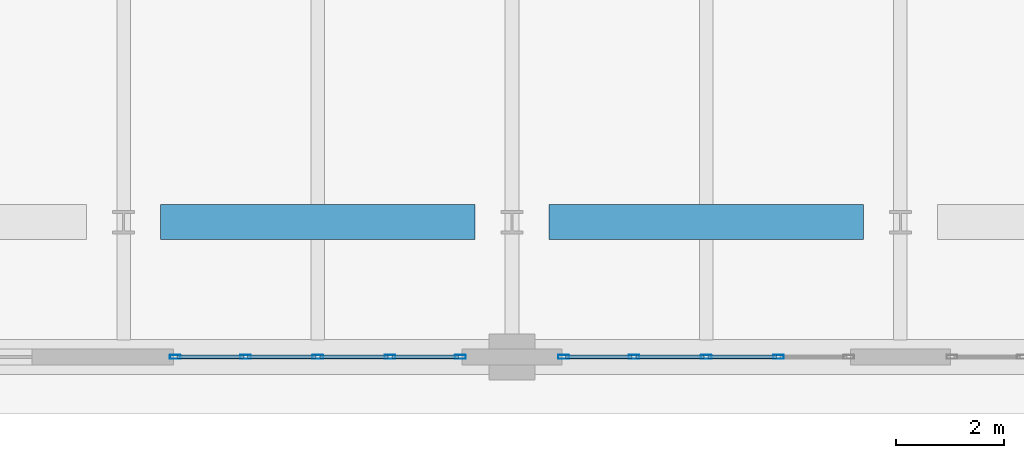
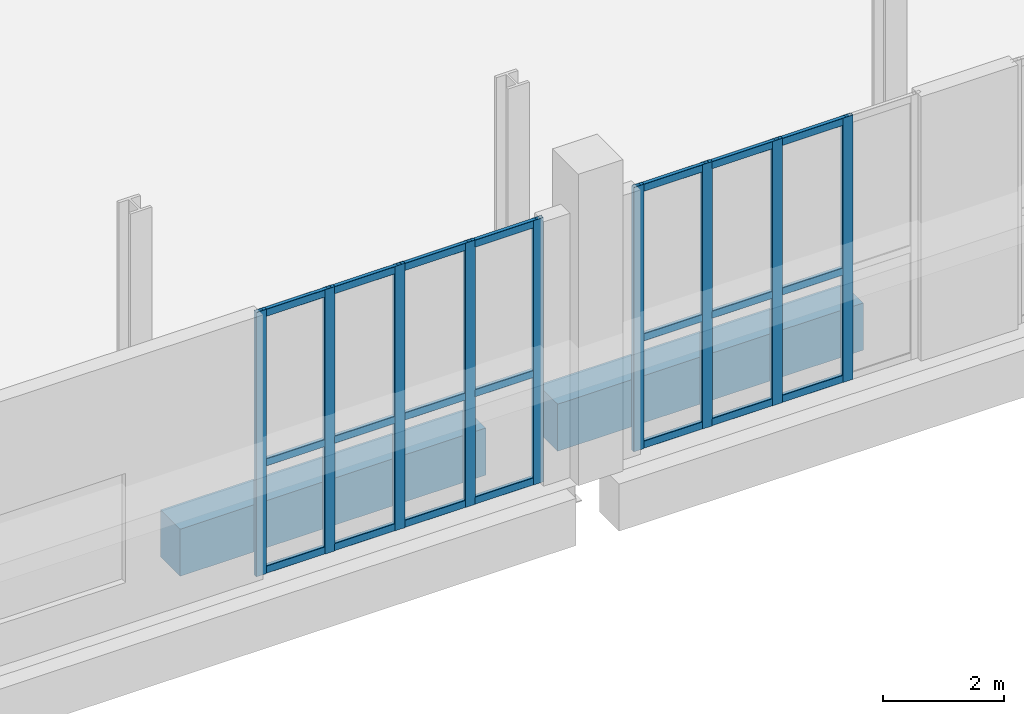
# One storey, part 5 of 29: 30 members, 2 beams, 2 elements without a shape of their own.
"""IFC4 building model written with IfcOpenShell, lengths in metres."""

from ifc_helpers import new_model, si_unit, direction, frame, origin, origin_2d, place, context, subcontext, project, spatial, rectangle, hollow_rectangle, extrude, material, layer, layer_set, material_profile, profile_set, type_object, element, aggregate, save


model = new_model("IFC4")

# Units and contexts
model_context = context("Model", 3, precision=1e-05, world=origin(), true_north=direction((0.0, 1.0)))
body_context = subcontext(model_context, "Body", "Model", "MODEL_VIEW")
ifc_project = project(units=[si_unit("LENGTHUNIT", "METRE"), si_unit("AREAUNIT", "SQUARE_METRE"), si_unit("VOLUMEUNIT", "CUBIC_METRE"), si_unit("PLANEANGLEUNIT", "RADIAN"), si_unit("MASSUNIT", "GRAM", prefix="KILO")], contexts=[model_context])

# Site, building, storey
site_placement = place(None, origin())
site = spatial("IfcSite", under=ifc_project, at=site_placement, CompositionType="ELEMENT")
building_placement = place(site_placement, origin())
building = spatial("IfcBuilding", under=site, at=building_placement, Name="Kaelvorn Grand Hotel", CompositionType="ELEMENT")
storey_placement = place(building_placement, frame((0.0, 0.0, 19.39990234375)))
storey = spatial("IfcBuildingStorey", under=building, at=storey_placement, Name="L03", CompositionType="ELEMENT", Elevation=19.39990234375)

# Beams
ifc_material_1 = material(Name="Concrete C60/75", Category="concrete")
ifc_material_profile_1 = material_profile(ifc_material_1, rectangle(XDim=0.64990234375, YDim=0.949951171875, at=origin_2d()), Name="RC SPANDREL 650x950")
ifc_profile_set_1 = profile_set([ifc_material_profile_1], Name="Concrete C60/75")
beam_type = type_object("IfcBeamType", Name="BM-SP-650x950-C60", PredefinedType="SPANDREL", material=ifc_profile_set_1)
for number, where, z_axis, x_axis, name in (
    (1, (16.885009765625, 0.0, -0.794921875), (1.0, 0.0, 0.0), (0.0, 1.0, 0.0), "L03 Tower Line South Girder 02"),
    (2, (24.0849609375, 0.0, -0.794921875), (1.0, 0.0, 0.0), (0.0, 1.0, 0.0), "L03 Tower Line South Girder 03"),
):
    element("IfcBeam", number, at=place(storey_placement, frame(where, z_axis=z_axis, x_axis=x_axis)), inside=storey, type_object=beam_type, Name=name, PredefinedType="SPANDREL", context=body_context, shape_type="SweptSolid", body=[
        extrude(rectangle(XDim=0.64990234375, YDim=0.949951171875, at=origin_2d()), origin(), (0.0, 0.0, 1.0), 5.830078125),
    ])

# Curtain wall, members
ifc_material_2 = material(Name="Anodised Aluminium", Category="aluminium")
ifc_layer = layer(ifc_material_2, 0.199951171875)
ifc_layer_set = layer_set([ifc_layer], Name="Anodised Aluminium")
curtain_wall_type = type_object("IfcCurtainWallType", Name="CW-SYS2", PredefinedType="NOTDEFINED", material=ifc_layer_set)
curtain_wall_1_placement = place(storey_placement, origin())
curtain_wall_1 = element("IfcCurtainWall", 3, at=curtain_wall_1_placement, inside=storey, type_object=curtain_wall_type, Name="L03 Unitised Curtain Wall CW2 (CW-L03-S-01)", PredefinedType="NOTDEFINED")
ifc_material_profile_2 = material_profile(ifc_material_2, hollow_rectangle(XDim=0.074951171875, YDim=0.199951171875, WallThickness=0.00390625, InnerFilletRadius=0.00390625, OuterFilletRadius=0.008056640625, at=origin_2d()), Name="ALU MULL 75x200")
ifc_profile_set_2 = profile_set([ifc_material_profile_2], Name="Anodised Aluminium")
member_type_1 = type_object("IfcMemberType", Name="CW-SYS2-MULL", PredefinedType="MULLION", material=ifc_profile_set_2)
member_1_placement = place(storey_placement, frame((17.157470703125, -2.5, 0.0), z_axis=(0.0, 0.0, 1.0), x_axis=(0.0, 1.0, 0.0)))
member_1 = element("IfcMember", 4, at=member_1_placement, type_object=member_type_1, Name="CW2 mullion 1", PredefinedType="MULLION", context=body_context, shape_type="SweptSolid", body=[
    extrude(hollow_rectangle(XDim=0.074951171875, YDim=0.199951171875, WallThickness=0.00390625, InnerFilletRadius=0.00390625, OuterFilletRadius=0.008056640625, at=origin_2d()), origin(), (0.0, 0.0, 1.0), 5.330078125),
])
member_2_placement = place(storey_placement, frame((18.4599609375, -2.5, 0.0), z_axis=(0.0, 0.0, 1.0), x_axis=(0.0, 1.0, 0.0)))
member_2 = element("IfcMember", 5, at=member_2_placement, type_object=member_type_1, Name="CW2 mullion 2", PredefinedType="MULLION", context=body_context, shape_type="SweptSolid", body=[
    extrude(hollow_rectangle(XDim=0.074951171875, YDim=0.199951171875, WallThickness=0.00390625, InnerFilletRadius=0.00390625, OuterFilletRadius=0.008056640625, at=origin_2d()), origin(), (0.0, 0.0, 1.0), 5.330078125),
])
member_3_placement = place(storey_placement, frame((19.800048828125, -2.5, 0.0), z_axis=(0.0, 0.0, 1.0), x_axis=(0.0, 1.0, 0.0)))
member_3 = element("IfcMember", 6, at=member_3_placement, type_object=member_type_1, Name="CW2 mullion 3", PredefinedType="MULLION", context=body_context, shape_type="SweptSolid", body=[
    extrude(hollow_rectangle(XDim=0.074951171875, YDim=0.199951171875, WallThickness=0.00390625, InnerFilletRadius=0.00390625, OuterFilletRadius=0.008056640625, at=origin_2d()), origin(), (0.0, 0.0, 1.0), 5.330078125),
])
member_4_placement = place(storey_placement, frame((21.139892578125, -2.5, 0.0), z_axis=(0.0, 0.0, 1.0), x_axis=(0.0, 1.0, 0.0)))
member_4 = element("IfcMember", 7, at=member_4_placement, type_object=member_type_1, Name="CW2 mullion 4", PredefinedType="MULLION", context=body_context, shape_type="SweptSolid", body=[
    extrude(hollow_rectangle(XDim=0.074951171875, YDim=0.199951171875, WallThickness=0.00390625, InnerFilletRadius=0.00390625, OuterFilletRadius=0.008056640625, at=origin_2d()), origin(), (0.0, 0.0, 1.0), 5.330078125),
])
member_5_placement = place(storey_placement, frame((22.4423828125, -2.5, 0.0), z_axis=(0.0, 0.0, 1.0), x_axis=(0.0, 1.0, 0.0)))
member_5 = element("IfcMember", 8, at=member_5_placement, type_object=member_type_1, Name="CW2 mullion 5", PredefinedType="MULLION", context=body_context, shape_type="SweptSolid", body=[
    extrude(hollow_rectangle(XDim=0.074951171875, YDim=0.199951171875, WallThickness=0.00390625, InnerFilletRadius=0.00390625, OuterFilletRadius=0.008056640625, at=origin_2d()), origin(), (0.0, 0.0, 1.0), 5.330078125),
])

curtain_wall_2_placement = place(storey_placement, origin())
curtain_wall_2 = element("IfcCurtainWall", 9, at=curtain_wall_2_placement, inside=storey, type_object=curtain_wall_type, Name="L03 Unitised Curtain Wall CW2 (CW-L03-S-02)", PredefinedType="NOTDEFINED")
member_6_placement = place(storey_placement, frame((24.357421875, -2.5, 0.0), z_axis=(0.0, 0.0, 1.0), x_axis=(0.0, 1.0, 0.0)))
member_6 = element("IfcMember", 10, at=member_6_placement, type_object=member_type_1, Name="CW2 mullion 1", PredefinedType="MULLION", context=body_context, shape_type="SweptSolid", body=[
    extrude(hollow_rectangle(XDim=0.074951171875, YDim=0.199951171875, WallThickness=0.00390625, InnerFilletRadius=0.00390625, OuterFilletRadius=0.008056640625, at=origin_2d()), origin(), (0.0, 0.0, 1.0), 5.330078125),
])
member_7_placement = place(storey_placement, frame((25.659912109375, -2.5, 0.0), z_axis=(0.0, 0.0, 1.0), x_axis=(0.0, 1.0, 0.0)))
member_7 = element("IfcMember", 11, at=member_7_placement, type_object=member_type_1, Name="CW2 mullion 2", PredefinedType="MULLION", context=body_context, shape_type="SweptSolid", body=[
    extrude(hollow_rectangle(XDim=0.074951171875, YDim=0.199951171875, WallThickness=0.00390625, InnerFilletRadius=0.00390625, OuterFilletRadius=0.008056640625, at=origin_2d()), origin(), (0.0, 0.0, 1.0), 5.330078125),
])
member_8_placement = place(storey_placement, frame((27.0, -2.5, 0.0), z_axis=(0.0, 0.0, 1.0), x_axis=(0.0, 1.0, 0.0)))
member_8 = element("IfcMember", 12, at=member_8_placement, type_object=member_type_1, Name="CW2 mullion 3", PredefinedType="MULLION", context=body_context, shape_type="SweptSolid", body=[
    extrude(hollow_rectangle(XDim=0.074951171875, YDim=0.199951171875, WallThickness=0.00390625, InnerFilletRadius=0.00390625, OuterFilletRadius=0.008056640625, at=origin_2d()), origin(), (0.0, 0.0, 1.0), 5.330078125),
])
member_9_placement = place(storey_placement, frame((28.340087890625, -2.5, 0.0), z_axis=(0.0, 0.0, 1.0), x_axis=(0.0, 1.0, 0.0)))
member_9 = element("IfcMember", 13, at=member_9_placement, type_object=member_type_1, Name="CW2 mullion 4", PredefinedType="MULLION", context=body_context, shape_type="SweptSolid", body=[
    extrude(hollow_rectangle(XDim=0.074951171875, YDim=0.199951171875, WallThickness=0.00390625, InnerFilletRadius=0.00390625, OuterFilletRadius=0.008056640625, at=origin_2d()), origin(), (0.0, 0.0, 1.0), 5.330078125),
])

# Member
ifc_material_profile_3 = material_profile(ifc_material_2, hollow_rectangle(XDim=0.074951171875, YDim=0.14990234375, WallThickness=0.00390625, InnerFilletRadius=0.00390625, OuterFilletRadius=0.008056640625, at=origin_2d()), Name="ALU TRAN 75x150")
ifc_profile_set_3 = profile_set([ifc_material_profile_3], Name="Anodised Aluminium")
member_type_2 = type_object("IfcMemberType", Name="CW-SYS2-TRAN", PredefinedType="NOTDEFINED", material=ifc_profile_set_3)
member_10_placement = place(storey_placement, frame((17.195068359375, -2.5, 0.0751953125), z_axis=(1.0, 0.0, 0.0), x_axis=(0.0, 1.0, 0.0)))
member_10 = element("IfcMember", 14, at=member_10_placement, type_object=member_type_2, Name="CW2 transom 1.1", ObjectType="TRANSOM", PredefinedType="USERDEFINED", context=body_context, shape_type="SweptSolid", body=[
    extrude(hollow_rectangle(XDim=0.074951171875, YDim=0.14990234375, WallThickness=0.00390625, InnerFilletRadius=0.00390625, OuterFilletRadius=0.008056640625, at=origin_2d()), origin(), (0.0, 0.0, 1.0), 1.2275390625),
])

member_11_placement = place(storey_placement, frame((17.195068359375, -2.5, 2.23876953125), z_axis=(1.0, 0.0, 0.0), x_axis=(0.0, 1.0, 0.0)))
member_11 = element("IfcMember", 15, at=member_11_placement, type_object=member_type_2, Name="CW2 transom 1.2", ObjectType="TRANSOM", PredefinedType="USERDEFINED", context=body_context, shape_type="SweptSolid", body=[
    extrude(hollow_rectangle(XDim=0.074951171875, YDim=0.14990234375, WallThickness=0.00390625, InnerFilletRadius=0.00390625, OuterFilletRadius=0.008056640625, at=origin_2d()), origin(), (0.0, 0.0, 1.0), 1.2275390625),
])

member_12_placement = place(storey_placement, frame((17.195068359375, -2.5, 5.255126953125), z_axis=(1.0, 0.0, 0.0), x_axis=(0.0, 1.0, 0.0)))
member_12 = element("IfcMember", 16, at=member_12_placement, type_object=member_type_2, Name="CW2 transom 1.3", ObjectType="TRANSOM", PredefinedType="USERDEFINED", context=body_context, shape_type="SweptSolid", body=[
    extrude(hollow_rectangle(XDim=0.074951171875, YDim=0.14990234375, WallThickness=0.00390625, InnerFilletRadius=0.00390625, OuterFilletRadius=0.008056640625, at=origin_2d()), origin(), (0.0, 0.0, 1.0), 1.2275390625),
])

member_13_placement = place(storey_placement, frame((18.49755859375, -2.5, 0.0751953125), z_axis=(1.0, 0.0, 0.0), x_axis=(0.0, 1.0, 0.0)))
member_13 = element("IfcMember", 17, at=member_13_placement, type_object=member_type_2, Name="CW2 transom 2.1", ObjectType="TRANSOM", PredefinedType="USERDEFINED", context=body_context, shape_type="SweptSolid", body=[
    extrude(hollow_rectangle(XDim=0.074951171875, YDim=0.14990234375, WallThickness=0.00390625, InnerFilletRadius=0.00390625, OuterFilletRadius=0.008056640625, at=origin_2d()), origin(), (0.0, 0.0, 1.0), 1.264892578125),
])

member_14_placement = place(storey_placement, frame((18.49755859375, -2.5, 2.23876953125), z_axis=(1.0, 0.0, 0.0), x_axis=(0.0, 1.0, 0.0)))
member_14 = element("IfcMember", 18, at=member_14_placement, type_object=member_type_2, Name="CW2 transom 2.2", ObjectType="TRANSOM", PredefinedType="USERDEFINED", context=body_context, shape_type="SweptSolid", body=[
    extrude(hollow_rectangle(XDim=0.074951171875, YDim=0.14990234375, WallThickness=0.00390625, InnerFilletRadius=0.00390625, OuterFilletRadius=0.008056640625, at=origin_2d()), origin(), (0.0, 0.0, 1.0), 1.264892578125),
])

member_15_placement = place(storey_placement, frame((18.49755859375, -2.5, 5.255126953125), z_axis=(1.0, 0.0, 0.0), x_axis=(0.0, 1.0, 0.0)))
member_15 = element("IfcMember", 19, at=member_15_placement, type_object=member_type_2, Name="CW2 transom 2.3", ObjectType="TRANSOM", PredefinedType="USERDEFINED", context=body_context, shape_type="SweptSolid", body=[
    extrude(hollow_rectangle(XDim=0.074951171875, YDim=0.14990234375, WallThickness=0.00390625, InnerFilletRadius=0.00390625, OuterFilletRadius=0.008056640625, at=origin_2d()), origin(), (0.0, 0.0, 1.0), 1.264892578125),
])

member_16_placement = place(storey_placement, frame((19.83740234375, -2.5, 0.0751953125), z_axis=(1.0, 0.0, 0.0), x_axis=(0.0, 1.0, 0.0)))
member_16 = element("IfcMember", 20, at=member_16_placement, type_object=member_type_2, Name="CW2 transom 3.1", ObjectType="TRANSOM", PredefinedType="USERDEFINED", context=body_context, shape_type="SweptSolid", body=[
    extrude(hollow_rectangle(XDim=0.074951171875, YDim=0.14990234375, WallThickness=0.00390625, InnerFilletRadius=0.00390625, OuterFilletRadius=0.008056640625, at=origin_2d()), origin(), (0.0, 0.0, 1.0), 1.26513671875),
])

member_17_placement = place(storey_placement, frame((19.83740234375, -2.5, 2.23876953125), z_axis=(1.0, 0.0, 0.0), x_axis=(0.0, 1.0, 0.0)))
member_17 = element("IfcMember", 21, at=member_17_placement, type_object=member_type_2, Name="CW2 transom 3.2", ObjectType="TRANSOM", PredefinedType="USERDEFINED", context=body_context, shape_type="SweptSolid", body=[
    extrude(hollow_rectangle(XDim=0.074951171875, YDim=0.14990234375, WallThickness=0.00390625, InnerFilletRadius=0.00390625, OuterFilletRadius=0.008056640625, at=origin_2d()), origin(), (0.0, 0.0, 1.0), 1.26513671875),
])

member_18_placement = place(storey_placement, frame((19.83740234375, -2.5, 5.255126953125), z_axis=(1.0, 0.0, 0.0), x_axis=(0.0, 1.0, 0.0)))
member_18 = element("IfcMember", 22, at=member_18_placement, type_object=member_type_2, Name="CW2 transom 3.3", ObjectType="TRANSOM", PredefinedType="USERDEFINED", context=body_context, shape_type="SweptSolid", body=[
    extrude(hollow_rectangle(XDim=0.074951171875, YDim=0.14990234375, WallThickness=0.00390625, InnerFilletRadius=0.00390625, OuterFilletRadius=0.008056640625, at=origin_2d()), origin(), (0.0, 0.0, 1.0), 1.26513671875),
])

member_19_placement = place(storey_placement, frame((21.177490234375, -2.5, 0.0751953125), z_axis=(1.0, 0.0, 0.0), x_axis=(0.0, 1.0, 0.0)))
member_19 = element("IfcMember", 23, at=member_19_placement, type_object=member_type_2, Name="CW2 transom 4.1", ObjectType="TRANSOM", PredefinedType="USERDEFINED", context=body_context, shape_type="SweptSolid", body=[
    extrude(hollow_rectangle(XDim=0.074951171875, YDim=0.14990234375, WallThickness=0.00390625, InnerFilletRadius=0.00390625, OuterFilletRadius=0.008056640625, at=origin_2d()), origin(), (0.0, 0.0, 1.0), 1.2275390625),
])

member_20_placement = place(storey_placement, frame((21.177490234375, -2.5, 2.23876953125), z_axis=(1.0, 0.0, 0.0), x_axis=(0.0, 1.0, 0.0)))
member_20 = element("IfcMember", 24, at=member_20_placement, type_object=member_type_2, Name="CW2 transom 4.2", ObjectType="TRANSOM", PredefinedType="USERDEFINED", context=body_context, shape_type="SweptSolid", body=[
    extrude(hollow_rectangle(XDim=0.074951171875, YDim=0.14990234375, WallThickness=0.00390625, InnerFilletRadius=0.00390625, OuterFilletRadius=0.008056640625, at=origin_2d()), origin(), (0.0, 0.0, 1.0), 1.2275390625),
])

member_21_placement = place(storey_placement, frame((21.177490234375, -2.5, 5.255126953125), z_axis=(1.0, 0.0, 0.0), x_axis=(0.0, 1.0, 0.0)))
member_21 = element("IfcMember", 25, at=member_21_placement, type_object=member_type_2, Name="CW2 transom 4.3", ObjectType="TRANSOM", PredefinedType="USERDEFINED", context=body_context, shape_type="SweptSolid", body=[
    extrude(hollow_rectangle(XDim=0.074951171875, YDim=0.14990234375, WallThickness=0.00390625, InnerFilletRadius=0.00390625, OuterFilletRadius=0.008056640625, at=origin_2d()), origin(), (0.0, 0.0, 1.0), 1.2275390625),
])

aggregate(curtain_wall_1, [member_1, member_2, member_3, member_4, member_5, member_10, member_11, member_12, member_13, member_14, member_15, member_16, member_17, member_18, member_19, member_20, member_21])

member_22_placement = place(storey_placement, frame((24.39501953125, -2.5, 0.0751953125), z_axis=(1.0, 0.0, 0.0), x_axis=(0.0, 1.0, 0.0)))
member_22 = element("IfcMember", 26, at=member_22_placement, type_object=member_type_2, Name="CW2 transom 1.1", ObjectType="TRANSOM", PredefinedType="USERDEFINED", context=body_context, shape_type="SweptSolid", body=[
    extrude(hollow_rectangle(XDim=0.074951171875, YDim=0.14990234375, WallThickness=0.00390625, InnerFilletRadius=0.00390625, OuterFilletRadius=0.008056640625, at=origin_2d()), origin(), (0.0, 0.0, 1.0), 1.2275390625),
])

member_23_placement = place(storey_placement, frame((24.39501953125, -2.5, 2.23876953125), z_axis=(1.0, 0.0, 0.0), x_axis=(0.0, 1.0, 0.0)))
member_23 = element("IfcMember", 27, at=member_23_placement, type_object=member_type_2, Name="CW2 transom 1.2", ObjectType="TRANSOM", PredefinedType="USERDEFINED", context=body_context, shape_type="SweptSolid", body=[
    extrude(hollow_rectangle(XDim=0.074951171875, YDim=0.14990234375, WallThickness=0.00390625, InnerFilletRadius=0.00390625, OuterFilletRadius=0.008056640625, at=origin_2d()), origin(), (0.0, 0.0, 1.0), 1.2275390625),
])

member_24_placement = place(storey_placement, frame((24.39501953125, -2.5, 5.255126953125), z_axis=(1.0, 0.0, 0.0), x_axis=(0.0, 1.0, 0.0)))
member_24 = element("IfcMember", 28, at=member_24_placement, type_object=member_type_2, Name="CW2 transom 1.3", ObjectType="TRANSOM", PredefinedType="USERDEFINED", context=body_context, shape_type="SweptSolid", body=[
    extrude(hollow_rectangle(XDim=0.074951171875, YDim=0.14990234375, WallThickness=0.00390625, InnerFilletRadius=0.00390625, OuterFilletRadius=0.008056640625, at=origin_2d()), origin(), (0.0, 0.0, 1.0), 1.2275390625),
])

member_25_placement = place(storey_placement, frame((25.697509765625, -2.5, 0.0751953125), z_axis=(1.0, 0.0, 0.0), x_axis=(0.0, 1.0, 0.0)))
member_25 = element("IfcMember", 29, at=member_25_placement, type_object=member_type_2, Name="CW2 transom 2.1", ObjectType="TRANSOM", PredefinedType="USERDEFINED", context=body_context, shape_type="SweptSolid", body=[
    extrude(hollow_rectangle(XDim=0.074951171875, YDim=0.14990234375, WallThickness=0.00390625, InnerFilletRadius=0.00390625, OuterFilletRadius=0.008056640625, at=origin_2d()), origin(), (0.0, 0.0, 1.0), 1.264892578125),
])

member_26_placement = place(storey_placement, frame((25.697509765625, -2.5, 2.23876953125), z_axis=(1.0, 0.0, 0.0), x_axis=(0.0, 1.0, 0.0)))
member_26 = element("IfcMember", 30, at=member_26_placement, type_object=member_type_2, Name="CW2 transom 2.2", ObjectType="TRANSOM", PredefinedType="USERDEFINED", context=body_context, shape_type="SweptSolid", body=[
    extrude(hollow_rectangle(XDim=0.074951171875, YDim=0.14990234375, WallThickness=0.00390625, InnerFilletRadius=0.00390625, OuterFilletRadius=0.008056640625, at=origin_2d()), origin(), (0.0, 0.0, 1.0), 1.264892578125),
])

member_27_placement = place(storey_placement, frame((25.697509765625, -2.5, 5.255126953125), z_axis=(1.0, 0.0, 0.0), x_axis=(0.0, 1.0, 0.0)))
member_27 = element("IfcMember", 31, at=member_27_placement, type_object=member_type_2, Name="CW2 transom 2.3", ObjectType="TRANSOM", PredefinedType="USERDEFINED", context=body_context, shape_type="SweptSolid", body=[
    extrude(hollow_rectangle(XDim=0.074951171875, YDim=0.14990234375, WallThickness=0.00390625, InnerFilletRadius=0.00390625, OuterFilletRadius=0.008056640625, at=origin_2d()), origin(), (0.0, 0.0, 1.0), 1.264892578125),
])

member_28_placement = place(storey_placement, frame((27.03759765625, -2.5, 0.0751953125), z_axis=(1.0, 0.0, 0.0), x_axis=(0.0, 1.0, 0.0)))
member_28 = element("IfcMember", 32, at=member_28_placement, type_object=member_type_2, Name="CW2 transom 3.1", ObjectType="TRANSOM", PredefinedType="USERDEFINED", context=body_context, shape_type="SweptSolid", body=[
    extrude(hollow_rectangle(XDim=0.074951171875, YDim=0.14990234375, WallThickness=0.00390625, InnerFilletRadius=0.00390625, OuterFilletRadius=0.008056640625, at=origin_2d()), origin(), (0.0, 0.0, 1.0), 1.264892578125),
])

member_29_placement = place(storey_placement, frame((27.03759765625, -2.5, 2.23876953125), z_axis=(1.0, 0.0, 0.0), x_axis=(0.0, 1.0, 0.0)))
member_29 = element("IfcMember", 33, at=member_29_placement, type_object=member_type_2, Name="CW2 transom 3.2", ObjectType="TRANSOM", PredefinedType="USERDEFINED", context=body_context, shape_type="SweptSolid", body=[
    extrude(hollow_rectangle(XDim=0.074951171875, YDim=0.14990234375, WallThickness=0.00390625, InnerFilletRadius=0.00390625, OuterFilletRadius=0.008056640625, at=origin_2d()), origin(), (0.0, 0.0, 1.0), 1.264892578125),
])

member_30_placement = place(storey_placement, frame((27.03759765625, -2.5, 5.255126953125), z_axis=(1.0, 0.0, 0.0), x_axis=(0.0, 1.0, 0.0)))
member_30 = element("IfcMember", 34, at=member_30_placement, type_object=member_type_2, Name="CW2 transom 3.3", ObjectType="TRANSOM", PredefinedType="USERDEFINED", context=body_context, shape_type="SweptSolid", body=[
    extrude(hollow_rectangle(XDim=0.074951171875, YDim=0.14990234375, WallThickness=0.00390625, InnerFilletRadius=0.00390625, OuterFilletRadius=0.008056640625, at=origin_2d()), origin(), (0.0, 0.0, 1.0), 1.264892578125),
])

aggregate(curtain_wall_2, [member_6, member_7, member_8, member_9, member_22, member_23, member_24, member_25, member_26, member_27, member_28, member_29, member_30])

save(model, "model.ifc")
